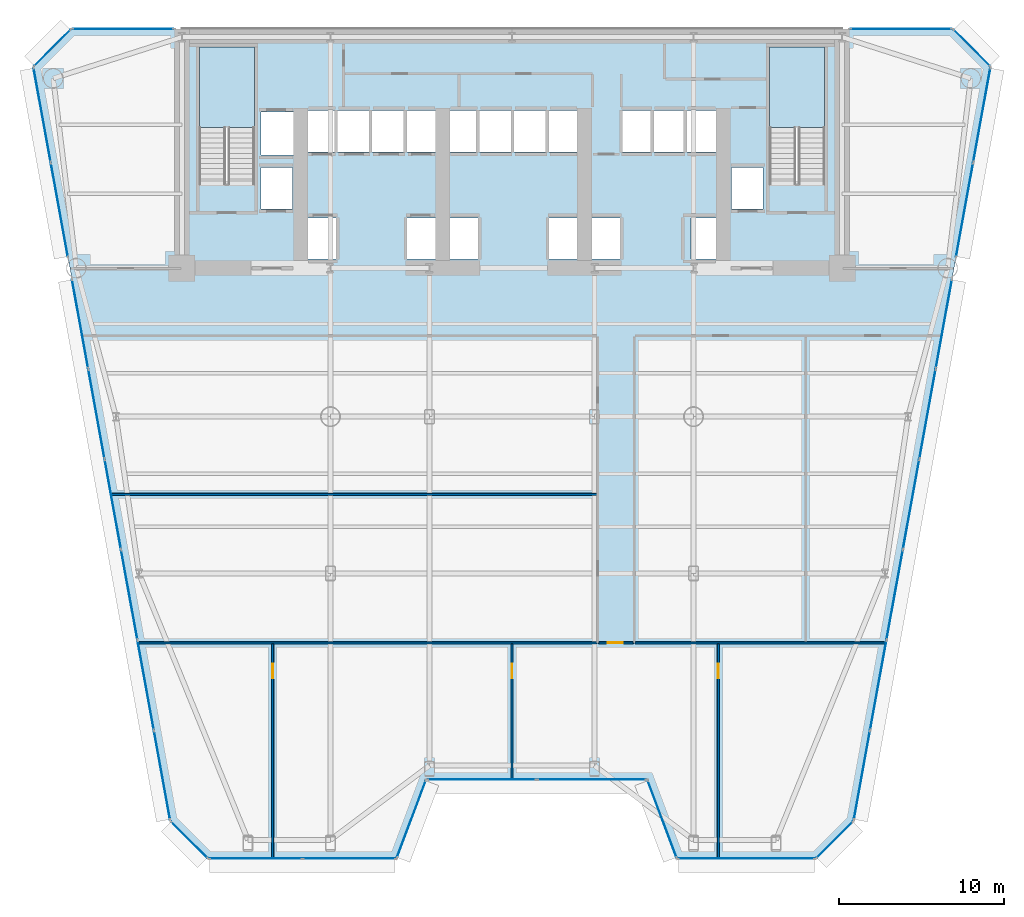
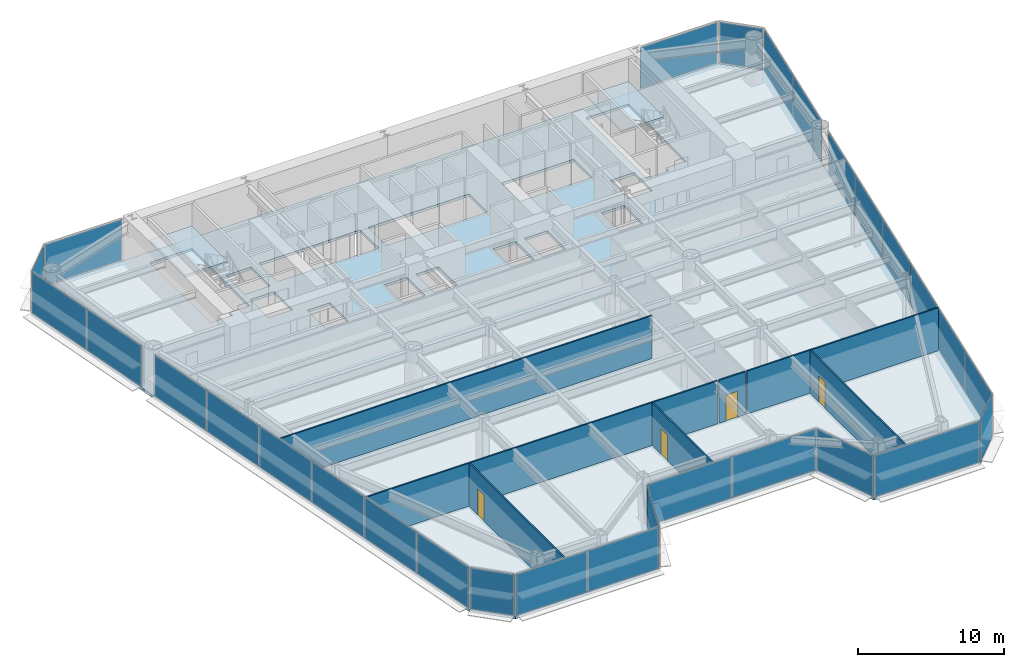
# One storey, part 7 of 14: 29 plates, 7 walls, 4 doors, 3 slabs, 4 openings, 17 elements without a shape of their own.
"""IFC4 building model written with IfcOpenShell, lengths in metres."""

from ifc_helpers import new_model, si_unit, direction, frame, frame_2d, origin, origin_2d, place, context, subcontext, project, spatial, polyline, rectangle, outline, extrude, source, transform, mapped, material, layer, layer_set, type_object, element, fill, aggregate, save


model = new_model("IFC4")

# Units and contexts
model_context = context("Model", 3, precision=1e-05, world=origin(), true_north=direction((0.0, 1.0)))
body_context = subcontext(model_context, "Body", "Model", "MODEL_VIEW")
ifc_project = project(units=[si_unit("LENGTHUNIT", "METRE"), si_unit("AREAUNIT", "SQUARE_METRE"), si_unit("VOLUMEUNIT", "CUBIC_METRE"), si_unit("PLANEANGLEUNIT", "RADIAN"), si_unit("MASSUNIT", "GRAM", prefix="KILO")], contexts=[model_context])

# Site, building, storey
site_placement = place(None, origin())
site = spatial("IfcSite", under=ifc_project, at=site_placement, CompositionType="ELEMENT")
building_placement = place(site_placement, origin())
building = spatial("IfcBuilding", under=site, at=building_placement, Name="Vaeldorn Concourse Tower", CompositionType="ELEMENT")
storey_placement = place(building_placement, frame((0.0, 0.0, 30.199951171875)))
storey = spatial("IfcBuildingStorey", under=building, at=storey_placement, Name="L07", CompositionType="ELEMENT", Elevation=30.199951171875)

# Stair, slab
ifc_material_1 = material(Name="Precast concrete C40/50", Category="concrete")
stair_type = type_object("IfcStairType", Name="STR-DOG-24x158", PredefinedType="HALF_TURN_STAIR", material=ifc_material_1)
stair_1_placement = place(storey_placement, origin())
stair_1 = element("IfcStair", 1, at=stair_1_placement, inside=storey, type_object=stair_type, Name="L07 West Core Exit Stair ST-1", PredefinedType="HALF_TURN_STAIR")
ifc_material_2 = material(Name="Concrete C40/50", Category="concrete")
ifc_layer_1 = layer(ifc_material_2, 0.199951171875)
ifc_layer_set_1 = layer_set([ifc_layer_1], Name="Concrete C40/50")
slab_type_1 = type_object("IfcSlabType", Name="SL-STAIR-LANDING", PredefinedType="LANDING", material=ifc_layer_set_1)
slab_1_placement = place(storey_placement, frame((0.0, 0.0, 1.699951171875)))
slab_1 = element("IfcSlab", 2, at=slab_1_placement, type_object=slab_type_1, Name="ST-1 landing 1", PredefinedType="LANDING", context=body_context, shape_type="SweptSolid", body=[
    extrude(outline(polyline([(18.39990234375, 45.010009765625), (18.39990234375, 49.89990234375), (15.050048828125, 49.89990234375), (15.050048828125, 45.010009765625), (18.39990234375, 45.010009765625)])), origin(), (0.0, 0.0, 1.0), 0.2001953125),
])
aggregate(stair_1, [slab_1])

stair_2_placement = place(storey_placement, origin())
stair_2 = element("IfcStair", 3, at=stair_2_placement, inside=storey, type_object=stair_type, Name="L07 East Core Exit Stair ST-2", PredefinedType="HALF_TURN_STAIR")
slab_2_placement = place(storey_placement, frame((0.0, 0.0, 1.699951171875)))
slab_2 = element("IfcSlab", 4, at=slab_2_placement, type_object=slab_type_1, Name="ST-2 landing 1", PredefinedType="LANDING", context=body_context, shape_type="SweptSolid", body=[
    extrude(outline(polyline([(52.949951171875, 45.010009765625), (52.949951171875, 49.89990234375), (49.60009765625, 49.89990234375), (49.60009765625, 45.010009765625), (52.949951171875, 45.010009765625)])), origin(), (0.0, 0.0, 1.0), 0.2001953125),
])
aggregate(stair_2, [slab_2])

# Slab
ifc_layer_2 = layer(ifc_material_2, 0.219970703125)
ifc_layer_set_2 = layer_set([ifc_layer_2], Name="Concrete C40/50")
slab_type_2 = type_object("IfcSlabType", Name="SL-TYP-220", PredefinedType="FLOOR", material=ifc_layer_set_2)
slab_3_placement = place(storey_placement, frame((0.0, 0.0, -0.219970703125)))
element("IfcSlab", 5, at=slab_3_placement, inside=storey, type_object=slab_type_2, Name="Structural Floor Slab L07", PredefinedType="FLOOR", context=body_context, shape_type="SweptSolid", body=[
    extrude(outline(polyline([(15.5966796875, 0.71728515625), (27.0, 0.71728515625), (28.800048828125, 5.51708984375), (42.199951171875, 5.51708984375), (44.0, 0.71728515625), (52.4033203125, 0.71728515625), (54.703369140625, 3.01708984375), (63.0, 48.699951171875), (60.699951171875, 51.0), (7.300048828125, 51.0), (5.0, 48.699951171875), (13.296630859375, 3.01708984375), (15.5966796875, 0.71728515625)]), holes=[polyline([(18.39990234375, 42.0), (18.39990234375, 49.89990234375), (15.050048828125, 49.89990234375), (15.050048828125, 41.60009765625), (16.800048828125, 41.60009765625), (16.800048828125, 42.0), (18.39990234375, 42.0)]), polyline([(52.949951171875, 42.0), (52.949951171875, 49.89990234375), (49.60009765625, 49.89990234375), (49.60009765625, 41.60009765625), (51.35009765625, 41.60009765625), (51.35009765625, 42.0), (52.949951171875, 42.0)]), polyline([(21.550048828125, 37.050048828125), (23.35009765625, 37.050048828125), (23.35009765625, 39.550048828125), (21.550048828125, 39.550048828125), (21.550048828125, 37.050048828125)]), polyline([(27.64990234375, 37.050048828125), (29.449951171875, 37.050048828125), (29.449951171875, 39.550048828125), (27.64990234375, 39.550048828125), (27.64990234375, 37.050048828125)]), polyline([(21.5, 43.550048828125), (29.5, 43.550048828125), (29.5, 46.050048828125), (21.5, 46.050048828125), (21.5, 43.550048828125)]), polyline([(30.14990234375, 37.050048828125), (31.949951171875, 37.050048828125), (31.949951171875, 39.550048828125), (30.14990234375, 39.550048828125), (30.14990234375, 37.050048828125)]), polyline([(36.25, 37.050048828125), (38.050048828125, 37.050048828125), (38.050048828125, 39.550048828125), (36.25, 39.550048828125), (36.25, 37.050048828125)]), polyline([(30.10009765625, 43.550048828125), (38.10009765625, 43.550048828125), (38.10009765625, 46.050048828125), (30.10009765625, 46.050048828125), (30.10009765625, 43.550048828125)]), polyline([(38.75, 37.050048828125), (40.550048828125, 37.050048828125), (40.550048828125, 39.550048828125), (38.75, 39.550048828125), (38.75, 37.050048828125)]), polyline([(44.85009765625, 37.050048828125), (46.64990234375, 37.050048828125), (46.64990234375, 39.550048828125), (44.85009765625, 39.550048828125), (44.85009765625, 37.050048828125)]), polyline([(40.699951171875, 43.550048828125), (46.39990234375, 43.550048828125), (46.39990234375, 46.050048828125), (40.699951171875, 46.050048828125), (40.699951171875, 43.550048828125)]), polyline([(18.800048828125, 43.35009765625), (20.800048828125, 43.35009765625), (20.800048828125, 45.949951171875), (18.800048828125, 45.949951171875), (18.800048828125, 43.35009765625)]), polyline([(18.800048828125, 40.10009765625), (20.699951171875, 40.10009765625), (20.699951171875, 42.60009765625), (18.800048828125, 42.60009765625), (18.800048828125, 40.10009765625)]), polyline([(47.300048828125, 40.10009765625), (49.199951171875, 40.10009765625), (49.199951171875, 42.60009765625), (47.300048828125, 42.60009765625), (47.300048828125, 40.10009765625)])]), origin(), (0.0, 0.0, 1.0), 0.219970703125),
])

# Curtain wall, plate
ifc_material_3 = material(Name="Anodised Bronze Aluminium", Category="aluminium")
ifc_layer_3 = layer(ifc_material_3, 0.219970703125)
ifc_layer_set_3 = layer_set([ifc_layer_3], Name="Anodised Bronze Aluminium")
curtain_wall_type = type_object("IfcCurtainWallType", Name="CW-SYS-01", PredefinedType="NOTDEFINED", material=ifc_layer_set_3)
curtain_wall_1_placement = place(storey_placement, origin())
curtain_wall_1 = element("IfcCurtainWall", 6, at=curtain_wall_1_placement, inside=storey, type_object=curtain_wall_type, Name="Unitised Curtain Wall CW-L07-E02-1", PredefinedType="NOTDEFINED")
ifc_material_4 = material(Name="Bronze Tinted Low-E Insulated Glass", Category="glass")
ifc_layer_4 = layer(ifc_material_4, 0.031982421875)
ifc_layer_set_4 = layer_set([ifc_layer_4], Name="Bronze Tinted Low-E Insulated Glass")
plate_type = type_object("IfcPlateType", Name="CWP-VISION-32", PredefinedType="CURTAIN_PANEL", material=ifc_layer_set_4)
shared_shape_1 = source(origin(), body_context, "Body", "SweptSolid", [
    extrude(rectangle(XDim=4.976318359375, YDim=0.031982421875, at=origin_2d()), origin(), (0.0, 0.0, 1.0), 3.429931640625),
])
plate_1_placement = place(storey_placement, frame((27.89990234375, 3.1171875, 0.0751953125), z_axis=(0.0, 0.0, 1.0), x_axis=(0.351123441595, 0.936329177566, 0.0)))
plate_1 = element("IfcPlate", 7, at=plate_1_placement, type_object=plate_type, Name="CW-01 panel 1.1", PredefinedType="CURTAIN_PANEL", context=body_context, shape_type="MappedRepresentation", body=[
    mapped(shared_shape_1, transform((0.0, 0.0, 0.0), scale=1.0)),
])
aggregate(curtain_wall_1, [plate_1])

curtain_wall_2_placement = place(storey_placement, origin())
curtain_wall_2 = element("IfcCurtainWall", 8, at=curtain_wall_2_placement, inside=storey, type_object=curtain_wall_type, Name="Unitised Curtain Wall CW-L07-E04-1", PredefinedType="NOTDEFINED")
plate_2_placement = place(storey_placement, frame((43.10009765625, 3.1171875, 0.0751953125), z_axis=(0.0, 0.0, 1.0), x_axis=(0.351123441595, -0.936329177566, 0.0)))
plate_2 = element("IfcPlate", 9, at=plate_2_placement, type_object=plate_type, Name="CW-01 panel 1.1", PredefinedType="CURTAIN_PANEL", context=body_context, shape_type="MappedRepresentation", body=[
    mapped(shared_shape_1, transform((0.0, 0.0, 0.0), scale=1.0)),
])
aggregate(curtain_wall_2, [plate_2])

# Curtain wall, plates
curtain_wall_3_placement = place(storey_placement, origin())
curtain_wall_3 = element("IfcCurtainWall", 10, at=curtain_wall_3_placement, inside=storey, type_object=curtain_wall_type, Name="Unitised Curtain Wall CW-L07-E03-1", PredefinedType="NOTDEFINED")
shared_shape_2 = source(origin(), body_context, "Body", "SweptSolid", [
    extrude(rectangle(XDim=6.58740234375, YDim=0.031982421875, at=origin_2d()), origin(), (0.0, 0.0, 1.0), 3.429931640625),
])
plate_3_placement = place(storey_placement, frame((32.168701171875, 5.51708984375, 0.0751953125), z_axis=(0.0, 0.0, 1.0), x_axis=(1.0, 0.0, 0.0)))
plate_3 = element("IfcPlate", 11, at=plate_3_placement, type_object=plate_type, Name="CW-01 panel 1.1", PredefinedType="CURTAIN_PANEL", context=body_context, shape_type="MappedRepresentation", body=[
    mapped(shared_shape_2, transform((0.0, 0.0, 0.0), scale=1.0)),
])
plate_4_placement = place(storey_placement, frame((38.831298828125, 5.51708984375, 0.0751953125), z_axis=(0.0, 0.0, 1.0), x_axis=(1.0, 0.0, 0.0)))
plate_4 = element("IfcPlate", 12, at=plate_4_placement, type_object=plate_type, Name="CW-01 panel 2.1", PredefinedType="CURTAIN_PANEL", context=body_context, shape_type="MappedRepresentation", body=[
    mapped(shared_shape_2, transform((0.0, 0.0, 0.0), scale=1.0)),
])
aggregate(curtain_wall_3, [plate_3, plate_4])

# Curtain wall, plate
curtain_wall_4_placement = place(storey_placement, origin())
curtain_wall_4 = element("IfcCurtainWall", 13, at=curtain_wall_4_placement, inside=storey, type_object=curtain_wall_type, Name="Unitised Curtain Wall CW-L07-E06-1", PredefinedType="NOTDEFINED")
shared_shape_3 = source(origin(), body_context, "Body", "SweptSolid", [
    extrude(rectangle(XDim=3.102783203125, YDim=0.031982421875, at=origin_2d()), origin(), (0.0, 0.0, 1.0), 3.429931640625),
])
plate_5_placement = place(storey_placement, frame((53.55322265625, 1.8671875, 0.0751953125), z_axis=(0.0, 0.0, 1.0), x_axis=(0.707106781187, 0.707106781187, 0.0)))
plate_5 = element("IfcPlate", 14, at=plate_5_placement, type_object=plate_type, Name="CW-01 panel 1.1", PredefinedType="CURTAIN_PANEL", context=body_context, shape_type="MappedRepresentation", body=[
    mapped(shared_shape_3, transform((0.0, 0.0, 0.0), scale=1.0)),
])
aggregate(curtain_wall_4, [plate_5])

curtain_wall_5_placement = place(storey_placement, origin())
curtain_wall_5 = element("IfcCurtainWall", 15, at=curtain_wall_5_placement, inside=storey, type_object=curtain_wall_type, Name="Unitised Curtain Wall CW-L07-E08-1", PredefinedType="NOTDEFINED")
plate_6_placement = place(storey_placement, frame((61.85009765625, 49.85009765625, 0.0751953125), z_axis=(0.0, 0.0, 1.0), x_axis=(-0.707106781187, 0.707106781187, 0.0)))
plate_6 = element("IfcPlate", 16, at=plate_6_placement, type_object=plate_type, Name="CW-01 panel 1.1", PredefinedType="CURTAIN_PANEL", context=body_context, shape_type="MappedRepresentation", body=[
    mapped(shared_shape_3, transform((0.0, 0.0, 0.0), scale=1.0)),
])
aggregate(curtain_wall_5, [plate_6])

curtain_wall_6_placement = place(storey_placement, origin())
curtain_wall_6 = element("IfcCurtainWall", 17, at=curtain_wall_6_placement, inside=storey, type_object=curtain_wall_type, Name="Unitised Curtain Wall CW-L07-E10-1", PredefinedType="NOTDEFINED")
plate_7_placement = place(storey_placement, frame((6.14990234375, 49.85009765625, 0.0751953125), z_axis=(0.0, 0.0, 1.0), x_axis=(-0.707106781187, -0.707106781187, 0.0)))
plate_7 = element("IfcPlate", 18, at=plate_7_placement, type_object=plate_type, Name="CW-01 panel 1.1", PredefinedType="CURTAIN_PANEL", context=body_context, shape_type="MappedRepresentation", body=[
    mapped(shared_shape_3, transform((0.0, 0.0, 0.0), scale=1.0)),
])
aggregate(curtain_wall_6, [plate_7])

curtain_wall_7_placement = place(storey_placement, origin())
curtain_wall_7 = element("IfcCurtainWall", 19, at=curtain_wall_7_placement, inside=storey, type_object=curtain_wall_type, Name="Unitised Curtain Wall CW-L07-E12-1", PredefinedType="NOTDEFINED")
plate_8_placement = place(storey_placement, frame((14.44677734375, 1.8671875, 0.0751953125), z_axis=(0.0, 0.0, 1.0), x_axis=(0.707106781187, -0.707106781187, 0.0)))
plate_8 = element("IfcPlate", 20, at=plate_8_placement, type_object=plate_type, Name="CW-01 panel 1.1", PredefinedType="CURTAIN_PANEL", context=body_context, shape_type="MappedRepresentation", body=[
    mapped(shared_shape_3, transform((0.0, 0.0, 0.0), scale=1.0)),
])
aggregate(curtain_wall_7, [plate_8])

curtain_wall_8_placement = place(storey_placement, origin())
curtain_wall_8 = element("IfcCurtainWall", 21, at=curtain_wall_8_placement, inside=storey, type_object=curtain_wall_type, Name="Unitised Curtain Wall CW-L07-E09-1", PredefinedType="NOTDEFINED")
shared_shape_4 = source(origin(), body_context, "Body", "SweptSolid", [
    extrude(rectangle(XDim=6.10498046875, YDim=0.031982421875, at=origin_2d()), origin(), (0.0, 0.0, 1.0), 3.429931640625),
])
plate_9_placement = place(storey_placement, frame((57.572509765625, 51.0, 0.0751953125), z_axis=(0.0, 0.0, 1.0), x_axis=(-1.0, 0.0, 0.0)))
plate_9 = element("IfcPlate", 22, at=plate_9_placement, type_object=plate_type, Name="CW-01 panel 1.1", PredefinedType="CURTAIN_PANEL", context=body_context, shape_type="MappedRepresentation", body=[
    mapped(shared_shape_4, transform((0.0, 0.0, 0.0), scale=1.0)),
])
aggregate(curtain_wall_8, [plate_9])

curtain_wall_9_placement = place(storey_placement, origin())
curtain_wall_9 = element("IfcCurtainWall", 23, at=curtain_wall_9_placement, inside=storey, type_object=curtain_wall_type, Name="Unitised Curtain Wall CW-L07-E09-2", PredefinedType="NOTDEFINED")
plate_10_placement = place(storey_placement, frame((10.427490234375, 51.0, 0.0751953125), z_axis=(0.0, 0.0, 1.0), x_axis=(-1.0, 0.0, 0.0)))
plate_10 = element("IfcPlate", 24, at=plate_10_placement, type_object=plate_type, Name="CW-01 panel 1.1", PredefinedType="CURTAIN_PANEL", context=body_context, shape_type="MappedRepresentation", body=[
    mapped(shared_shape_4, transform((0.0, 0.0, 0.0), scale=1.0)),
])
aggregate(curtain_wall_9, [plate_10])

# Curtain wall, plates
curtain_wall_10_placement = place(storey_placement, origin())
curtain_wall_10 = element("IfcCurtainWall", 25, at=curtain_wall_10_placement, inside=storey, type_object=curtain_wall_type, Name="Unitised Curtain Wall CW-L07-E07-2", PredefinedType="NOTDEFINED")
shared_shape_5 = source(origin(), body_context, "Body", "SweptSolid", [
    extrude(rectangle(XDim=5.7724609375, YDim=0.031982421875, at=origin_2d()), origin(), (0.0, 0.0, 1.0), 3.429931640625),
])
plate_11_placement = place(storey_placement, frame((61.426025390625, 40.032958984375, 0.0751953125), z_axis=(0.0, 0.0, 1.0), x_axis=(0.178692536538, 0.983904963594, 0.0)))
plate_11 = element("IfcPlate", 26, at=plate_11_placement, type_object=plate_type, Name="CW-01 panel 1.1", PredefinedType="CURTAIN_PANEL", context=body_context, shape_type="MappedRepresentation", body=[
    mapped(shared_shape_5, transform((0.0, 0.0, 0.0), scale=1.0)),
])
plate_12_placement = place(storey_placement, frame((62.470947265625, 45.786376953125, 0.0751953125), z_axis=(0.0, 0.0, 1.0), x_axis=(0.178692536538, 0.983904963594, 0.0)))
plate_12 = element("IfcPlate", 27, at=plate_12_placement, type_object=plate_type, Name="CW-01 panel 2.1", PredefinedType="CURTAIN_PANEL", context=body_context, shape_type="MappedRepresentation", body=[
    mapped(shared_shape_5, transform((0.0, 0.0, 0.0), scale=1.0)),
])
aggregate(curtain_wall_10, [plate_11, plate_12])

curtain_wall_11_placement = place(storey_placement, origin())
curtain_wall_11 = element("IfcCurtainWall", 28, at=curtain_wall_11_placement, inside=storey, type_object=curtain_wall_type, Name="Unitised Curtain Wall CW-L07-E11-1", PredefinedType="NOTDEFINED")
plate_13_placement = place(storey_placement, frame((5.529052734375, 45.786376953125, 0.0751953125), z_axis=(0.0, 0.0, 1.0), x_axis=(0.178692536538, -0.983904963594, 0.0)))
plate_13 = element("IfcPlate", 29, at=plate_13_placement, type_object=plate_type, Name="CW-01 panel 1.1", PredefinedType="CURTAIN_PANEL", context=body_context, shape_type="MappedRepresentation", body=[
    mapped(shared_shape_5, transform((0.0, 0.0, 0.0), scale=1.0)),
])
plate_14_placement = place(storey_placement, frame((6.573974609375, 40.032958984375, 0.0751953125), z_axis=(0.0, 0.0, 1.0), x_axis=(0.178692536538, -0.983904963594, 0.0)))
plate_14 = element("IfcPlate", 30, at=plate_14_placement, type_object=plate_type, Name="CW-01 panel 2.1", PredefinedType="CURTAIN_PANEL", context=body_context, shape_type="MappedRepresentation", body=[
    mapped(shared_shape_5, transform((0.0, 0.0, 0.0), scale=1.0)),
])
aggregate(curtain_wall_11, [plate_13, plate_14])

curtain_wall_12_placement = place(storey_placement, origin())
curtain_wall_12 = element("IfcCurtainWall", 31, at=curtain_wall_12_placement, inside=storey, type_object=curtain_wall_type, Name="Unitised Curtain Wall CW-L07-E01-1", PredefinedType="NOTDEFINED")
shared_shape_6 = source(origin(), body_context, "Body", "SweptSolid", [
    extrude(rectangle(XDim=5.589111328125, YDim=0.031982421875, at=origin_2d()), origin(), (0.0, 0.0, 1.0), 3.429931640625),
])
plate_15_placement = place(storey_placement, frame((18.46630859375, 0.71728515625, 0.0751953125), z_axis=(0.0, 0.0, 1.0), x_axis=(1.0, 0.0, 0.0)))
plate_15 = element("IfcPlate", 32, at=plate_15_placement, type_object=plate_type, Name="CW-01 panel 1.1", PredefinedType="CURTAIN_PANEL", context=body_context, shape_type="MappedRepresentation", body=[
    mapped(shared_shape_6, transform((0.0, 0.0, 0.0), scale=1.0)),
])
plate_16_placement = place(storey_placement, frame((24.13037109375, 0.71728515625, 0.0751953125), z_axis=(0.0, 0.0, 1.0), x_axis=(1.0, 0.0, 0.0)))
plate_16 = element("IfcPlate", 33, at=plate_16_placement, type_object=plate_type, Name="CW-01 panel 2.1", PredefinedType="CURTAIN_PANEL", context=body_context, shape_type="MappedRepresentation", body=[
    mapped(shared_shape_6, transform((0.0, 0.0, 0.0), scale=1.0)),
])
aggregate(curtain_wall_12, [plate_15, plate_16])

# Curtain wall, plate
curtain_wall_13_placement = place(storey_placement, origin())
curtain_wall_13 = element("IfcCurtainWall", 34, at=curtain_wall_13_placement, inside=storey, type_object=curtain_wall_type, Name="Unitised Curtain Wall CW-L07-E05-1", PredefinedType="NOTDEFINED")
shared_shape_7 = source(origin(), body_context, "Body", "SweptSolid", [
    extrude(rectangle(XDim=8.25341796875, YDim=0.031982421875, at=origin_2d()), origin(), (0.0, 0.0, 1.0), 3.429931640625),
])
plate_17_placement = place(storey_placement, frame((48.20166015625, 0.71728515625, 0.0751953125), z_axis=(0.0, 0.0, 1.0), x_axis=(1.0, 0.0, 0.0)))
plate_17 = element("IfcPlate", 35, at=plate_17_placement, type_object=plate_type, Name="CW-01 panel 1.1", PredefinedType="CURTAIN_PANEL", context=body_context, shape_type="MappedRepresentation", body=[
    mapped(shared_shape_7, transform((0.0, 0.0, 0.0), scale=1.0)),
])
aggregate(curtain_wall_13, [plate_17])

# Curtain wall, plates
curtain_wall_14_placement = place(storey_placement, origin())
curtain_wall_14 = element("IfcCurtainWall", 36, at=curtain_wall_14_placement, inside=storey, type_object=curtain_wall_type, Name="Unitised Curtain Wall CW-L07-E07-1", PredefinedType="NOTDEFINED")
shared_shape_8 = source(origin(), body_context, "Body", "SweptSolid", [
    extrude(rectangle(XDim=5.454345703125, YDim=0.031982421875, at=origin_2d()), origin(), (0.0, 0.0, 1.0), 3.429931640625),
])
plate_18_placement = place(storey_placement, frame((55.2041015625, 5.774169921875, 0.0751953125), z_axis=(0.0, 0.0, 1.0), x_axis=(0.178692841107, 0.98390490828, 0.0)))
plate_18 = element("IfcPlate", 37, at=plate_18_placement, type_object=plate_type, Name="CW-01 panel 1.1", PredefinedType="CURTAIN_PANEL", context=body_context, shape_type="MappedRepresentation", body=[
    mapped(shared_shape_8, transform((0.0, 0.0, 0.0), scale=1.0)),
])
plate_19_placement = place(storey_placement, frame((60.171142578125, 33.12353515625, 0.0751953125), z_axis=(0.0, 0.0, 1.0), x_axis=(0.178692841107, 0.98390490828, 0.0)))
plate_19 = element("IfcPlate", 38, at=plate_19_placement, type_object=plate_type, Name="CW-01 panel 6.1", PredefinedType="CURTAIN_PANEL", context=body_context, shape_type="MappedRepresentation", body=[
    mapped(shared_shape_8, transform((0.0, 0.0, 0.0), scale=1.0)),
])

curtain_wall_15_placement = place(storey_placement, origin())
curtain_wall_15 = element("IfcCurtainWall", 39, at=curtain_wall_15_placement, inside=storey, type_object=curtain_wall_type, Name="Unitised Curtain Wall CW-L07-E11-2", PredefinedType="NOTDEFINED")
plate_20_placement = place(storey_placement, frame((7.828857421875, 33.12353515625, 0.0751953125), z_axis=(0.0, 0.0, 1.0), x_axis=(0.178692841107, -0.98390490828, 0.0)))
plate_20 = element("IfcPlate", 40, at=plate_20_placement, type_object=plate_type, Name="CW-01 panel 1.1", PredefinedType="CURTAIN_PANEL", context=body_context, shape_type="MappedRepresentation", body=[
    mapped(shared_shape_8, transform((0.0, 0.0, 0.0), scale=1.0)),
])
plate_21_placement = place(storey_placement, frame((12.7958984375, 5.774169921875, 0.0751953125), z_axis=(0.0, 0.0, 1.0), x_axis=(0.178692841107, -0.98390490828, 0.0)))
plate_21 = element("IfcPlate", 41, at=plate_21_placement, type_object=plate_type, Name="CW-01 panel 6.1", PredefinedType="CURTAIN_PANEL", context=body_context, shape_type="MappedRepresentation", body=[
    mapped(shared_shape_8, transform((0.0, 0.0, 0.0), scale=1.0)),
])

# Plate
shared_shape_9 = source(origin(), body_context, "Body", "SweptSolid", [
    extrude(rectangle(XDim=5.49169921875, YDim=0.031982421875, at=origin_2d()), origin(), (0.0, 0.0, 1.0), 3.429931640625),
])
plate_22_placement = place(storey_placement, frame((56.1953125, 11.23291015625, 0.0751953125), z_axis=(0.0, 0.0, 1.0), x_axis=(0.178692841107, 0.98390490828, 0.0)))
plate_22 = element("IfcPlate", 42, at=plate_22_placement, type_object=plate_type, Name="CW-01 panel 2.1", PredefinedType="CURTAIN_PANEL", context=body_context, shape_type="MappedRepresentation", body=[
    mapped(shared_shape_9, transform((0.0, 0.0, 0.0), scale=1.0)),
])

plate_23_placement = place(storey_placement, frame((57.190185546875, 16.710205078125, 0.0751953125), z_axis=(0.0, 0.0, 1.0), x_axis=(0.178692841107, 0.98390490828, 0.0)))
plate_23 = element("IfcPlate", 43, at=plate_23_placement, type_object=plate_type, Name="CW-01 panel 3.1", PredefinedType="CURTAIN_PANEL", context=body_context, shape_type="MappedRepresentation", body=[
    mapped(shared_shape_9, transform((0.0, 0.0, 0.0), scale=1.0)),
])

plate_24_placement = place(storey_placement, frame((58.184814453125, 22.1875, 0.0751953125), z_axis=(0.0, 0.0, 1.0), x_axis=(0.178692841107, 0.98390490828, 0.0)))
plate_24 = element("IfcPlate", 44, at=plate_24_placement, type_object=plate_type, Name="CW-01 panel 4.1", PredefinedType="CURTAIN_PANEL", context=body_context, shape_type="MappedRepresentation", body=[
    mapped(shared_shape_9, transform((0.0, 0.0, 0.0), scale=1.0)),
])

plate_25_placement = place(storey_placement, frame((59.1796875, 27.664794921875, 0.0751953125), z_axis=(0.0, 0.0, 1.0), x_axis=(0.178692841107, 0.98390490828, 0.0)))
plate_25 = element("IfcPlate", 45, at=plate_25_placement, type_object=plate_type, Name="CW-01 panel 5.1", PredefinedType="CURTAIN_PANEL", context=body_context, shape_type="MappedRepresentation", body=[
    mapped(shared_shape_9, transform((0.0, 0.0, 0.0), scale=1.0)),
])

aggregate(curtain_wall_14, [plate_18, plate_22, plate_23, plate_24, plate_25, plate_19])

plate_26_placement = place(storey_placement, frame((8.8203125, 27.664794921875, 0.0751953125), z_axis=(0.0, 0.0, 1.0), x_axis=(0.178692841107, -0.98390490828, 0.0)))
plate_26 = element("IfcPlate", 46, at=plate_26_placement, type_object=plate_type, Name="CW-01 panel 2.1", PredefinedType="CURTAIN_PANEL", context=body_context, shape_type="MappedRepresentation", body=[
    mapped(shared_shape_9, transform((0.0, 0.0, 0.0), scale=1.0)),
])

plate_27_placement = place(storey_placement, frame((9.815185546875, 22.1875, 0.0751953125), z_axis=(0.0, 0.0, 1.0), x_axis=(0.178692841107, -0.98390490828, 0.0)))
plate_27 = element("IfcPlate", 47, at=plate_27_placement, type_object=plate_type, Name="CW-01 panel 3.1", PredefinedType="CURTAIN_PANEL", context=body_context, shape_type="MappedRepresentation", body=[
    mapped(shared_shape_9, transform((0.0, 0.0, 0.0), scale=1.0)),
])

plate_28_placement = place(storey_placement, frame((10.809814453125, 16.710205078125, 0.0751953125), z_axis=(0.0, 0.0, 1.0), x_axis=(0.178692841107, -0.98390490828, 0.0)))
plate_28 = element("IfcPlate", 48, at=plate_28_placement, type_object=plate_type, Name="CW-01 panel 4.1", PredefinedType="CURTAIN_PANEL", context=body_context, shape_type="MappedRepresentation", body=[
    mapped(shared_shape_9, transform((0.0, 0.0, 0.0), scale=1.0)),
])

plate_29_placement = place(storey_placement, frame((11.8046875, 11.23291015625, 0.0751953125), z_axis=(0.0, 0.0, 1.0), x_axis=(0.178692841107, -0.98390490828, 0.0)))
plate_29 = element("IfcPlate", 49, at=plate_29_placement, type_object=plate_type, Name="CW-01 panel 5.1", PredefinedType="CURTAIN_PANEL", context=body_context, shape_type="MappedRepresentation", body=[
    mapped(shared_shape_9, transform((0.0, 0.0, 0.0), scale=1.0)),
])

aggregate(curtain_wall_15, [plate_20, plate_26, plate_27, plate_28, plate_29, plate_21])

# Wall, opening, door
ifc_material_5 = material(Name="Gypsum Board Partition", Category="gypsum")
ifc_layer_5 = layer(ifc_material_5, 0.1201171875)
ifc_layer_set_5 = layer_set([ifc_layer_5], Name="Gypsum Board Partition")
wall_type = type_object("IfcWallType", Name="WL-PART-120", PredefinedType="PARTITIONING", material=ifc_layer_set_5)
wall_1_placement = place(storey_placement, frame((39.260009765625, 13.800048828125, 0.0), z_axis=(0.0, 0.0, 1.0), x_axis=(1.0, 0.0, 0.0)))
wall_1 = element("IfcWall", 50, at=wall_1_placement, inside=storey, type_object=wall_type, Name="Interior Wall PW-L07-SP2S", PredefinedType="PARTITIONING", context=body_context, shape_type="SweptSolid", body=[
    extrude(rectangle(XDim=2.080078125, YDim=0.1201171875, at=frame_2d((1.0400390625, 0.0))), origin(), (0.0, 0.0, 1.0), 3.580078125),
])
opening_1_placement = place(wall_1_placement, frame((0.550048828125, 0.0, 0.0)))
opening_1 = element("IfcOpeningElement", 51, at=opening_1_placement, cuts=wall_1, Name="Opening D-03", PredefinedType="OPENING", context=body_context, shape_type="SweptSolid", body=[
    extrude(rectangle(XDim=0.89990234375, YDim=2.14990234375, at=frame_2d((0.449951171875, 1.074951171875))), frame((0.0, 0.070068359375, 0.0), z_axis=(0.0, -1.0, 0.0), x_axis=(1.0, 0.0, 0.0)), (0.0, 0.0, 1.0), 0.14013671875),
])
ifc_material_6 = material(Name="Acoustic Bronze-Framed Glass Door", Category="glass")
door_type = type_object("IfcDoorType", Name="DR-INT-900", OperationType="NOTDEFINED", PredefinedType="DOOR", material=ifc_material_6)
shared_shape_10 = source(origin(), body_context, "Body", "SweptSolid", [
    extrude(rectangle(XDim=0.89990234375, YDim=2.14990234375, at=frame_2d((0.449951171875, 1.074951171875))), frame((0.0, 0.02490234375, 0.0), z_axis=(0.0, -1.0, 0.0), x_axis=(1.0, 0.0, 0.0)), (0.0, 0.0, 1.0), 0.050048828125),
])
door_1_placement = place(opening_1_placement, origin())
door_1 = element("IfcDoor", 52, at=door_1_placement, inside=storey, type_object=door_type, Name="Interior Door DR-L07-Z2SFM", OperationType="SINGLE_SWING_LEFT", OverallHeight=2.14990234375, OverallWidth=0.89990234375, PredefinedType="DOOR", context=body_context, shape_type="MappedRepresentation", body=[
    mapped(shared_shape_10, transform((0.0, 0.0, 0.0), scale=1.0)),
])
fill(opening_1, door_1)

# Walls
wall_2_placement = place(storey_placement, frame((11.37841796875, 13.800048828125, 0.0), z_axis=(0.0, 0.0, 1.0), x_axis=(1.0, 0.0, 0.0)))
element("IfcWall", 53, at=wall_2_placement, inside=storey, type_object=wall_type, Name="Interior Wall PW-L07-S2WL", PredefinedType="PARTITIONING", context=body_context, shape_type="SweptSolid", body=[
    extrude(rectangle(XDim=27.761474609375, YDim=0.1201171875, at=frame_2d((13.880859375, 0.0))), origin(), (0.0, 0.0, 1.0), 3.580078125),
])
wall_3_placement = place(storey_placement, frame((41.4599609375, 13.800048828125, 0.0), z_axis=(0.0, 0.0, 1.0), x_axis=(1.0, 0.0, 0.0)))
element("IfcWall", 54, at=wall_3_placement, inside=storey, type_object=wall_type, Name="Interior Wall PW-L07-S2EL", PredefinedType="PARTITIONING", context=body_context, shape_type="SweptSolid", body=[
    extrude(rectangle(XDim=15.16162109375, YDim=0.1201171875, at=frame_2d((7.580810546875, 0.0))), origin(), (0.0, 0.0, 1.0), 3.580078125),
])

# Wall, opening, door
wall_4_placement = place(storey_placement, frame((19.5, 0.757080078125, 0.0), z_axis=(0.0, 0.0, 1.0), x_axis=(0.0, 1.0, 0.0)))
wall_4 = element("IfcWall", 55, at=wall_4_placement, inside=storey, type_object=wall_type, Name="Interior Wall PW-L07-Z2SFX1", PredefinedType="PARTITIONING", context=body_context, shape_type="SweptSolid", body=[
    extrude(rectangle(XDim=12.98291015625, YDim=0.1201171875, at=frame_2d((6.491455078125, 0.0))), origin(), (0.0, 0.0, 1.0), 3.580078125),
])
opening_2_placement = place(wall_4_placement, frame((10.883056640625, 0.0, 0.0)))
opening_2 = element("IfcOpeningElement", 56, at=opening_2_placement, cuts=wall_4, Name="Opening D-03", PredefinedType="OPENING", context=body_context, shape_type="SweptSolid", body=[
    extrude(rectangle(XDim=0.89990234375, YDim=2.14990234375, at=frame_2d((0.449951171875, 1.074951171875))), frame((0.0, 0.070068359375, 0.0), z_axis=(0.0, -1.0, 0.0), x_axis=(1.0, 0.0, 0.0)), (0.0, 0.0, 1.0), 0.14013671875),
])
door_2_placement = place(opening_2_placement, origin())
door_2 = element("IfcDoor", 57, at=door_2_placement, inside=storey, type_object=door_type, Name="Interior Door DR-L07-Z2SFX1", OperationType="SINGLE_SWING_RIGHT", OverallHeight=2.14990234375, OverallWidth=0.89990234375, PredefinedType="DOOR", context=body_context, shape_type="MappedRepresentation", body=[
    mapped(shared_shape_10, transform((0.0, 0.0, 0.0), scale=1.0)),
])
fill(opening_2, door_2)

wall_5_placement = place(storey_placement, frame((34.0, 5.55712890625, 0.0), z_axis=(0.0, 0.0, 1.0), x_axis=(0.0, 1.0, 0.0)))
wall_5 = element("IfcWall", 58, at=wall_5_placement, inside=storey, type_object=wall_type, Name="Interior Wall PW-L07-Z2SFX2", PredefinedType="PARTITIONING", context=body_context, shape_type="SweptSolid", body=[
    extrude(rectangle(XDim=8.182861328125, YDim=0.1201171875, at=frame_2d((4.09130859375, 0.0))), origin(), (0.0, 0.0, 1.0), 3.580078125),
])
opening_3_placement = place(wall_5_placement, frame((6.0830078125, 0.0, 0.0)))
opening_3 = element("IfcOpeningElement", 59, at=opening_3_placement, cuts=wall_5, Name="Opening D-03", PredefinedType="OPENING", context=body_context, shape_type="SweptSolid", body=[
    extrude(rectangle(XDim=0.89990234375, YDim=2.14990234375, at=frame_2d((0.449951171875, 1.074951171875))), frame((0.0, 0.070068359375, 0.0), z_axis=(0.0, -1.0, 0.0), x_axis=(1.0, 0.0, 0.0)), (0.0, 0.0, 1.0), 0.14013671875),
])
door_3_placement = place(opening_3_placement, origin())
door_3 = element("IfcDoor", 60, at=door_3_placement, inside=storey, type_object=door_type, Name="Interior Door DR-L07-Z2SFX2", OperationType="SINGLE_SWING_LEFT", OverallHeight=2.14990234375, OverallWidth=0.89990234375, PredefinedType="DOOR", context=body_context, shape_type="MappedRepresentation", body=[
    mapped(shared_shape_10, transform((0.0, 0.0, 0.0), scale=1.0)),
])
fill(opening_3, door_3)

wall_6_placement = place(storey_placement, frame((46.5, 0.757080078125, 0.0), z_axis=(0.0, 0.0, 1.0), x_axis=(0.0, 1.0, 0.0)))
wall_6 = element("IfcWall", 61, at=wall_6_placement, inside=storey, type_object=wall_type, Name="Interior Wall PW-L07-Z2SFX3", PredefinedType="PARTITIONING", context=body_context, shape_type="SweptSolid", body=[
    extrude(rectangle(XDim=12.98291015625, YDim=0.1201171875, at=frame_2d((6.491455078125, 0.0))), origin(), (0.0, 0.0, 1.0), 3.580078125),
])
opening_4_placement = place(wall_6_placement, frame((10.883056640625, 0.0, 0.0)))
opening_4 = element("IfcOpeningElement", 62, at=opening_4_placement, cuts=wall_6, Name="Opening D-03", PredefinedType="OPENING", context=body_context, shape_type="SweptSolid", body=[
    extrude(rectangle(XDim=0.89990234375, YDim=2.14990234375, at=frame_2d((0.449951171875, 1.074951171875))), frame((0.0, 0.070068359375, 0.0), z_axis=(0.0, -1.0, 0.0), x_axis=(1.0, 0.0, 0.0)), (0.0, 0.0, 1.0), 0.14013671875),
])
door_4_placement = place(opening_4_placement, origin())
door_4 = element("IfcDoor", 63, at=door_4_placement, inside=storey, type_object=door_type, Name="Interior Door DR-L07-Z2SFX3", OperationType="SINGLE_SWING_RIGHT", OverallHeight=2.14990234375, OverallWidth=0.89990234375, PredefinedType="DOOR", context=body_context, shape_type="MappedRepresentation", body=[
    mapped(shared_shape_10, transform((0.0, 0.0, 0.0), scale=1.0)),
])
fill(opening_4, door_4)

# Wall
wall_7_placement = place(storey_placement, frame((9.743896484375, 22.800048828125, 0.0), z_axis=(0.0, 0.0, 1.0), x_axis=(1.0, 0.0, 0.0)))
element("IfcWall", 64, at=wall_7_placement, inside=storey, type_object=wall_type, Name="Interior Wall PW-L07-Z2WY1", PredefinedType="PARTITIONING", context=body_context, shape_type="SweptSolid", body=[
    extrude(rectangle(XDim=29.39599609375, YDim=0.1201171875, at=frame_2d((14.697998046875, 0.0))), origin(), (0.0, 0.0, 1.0), 3.580078125),
])

save(model, "model.ifc")
